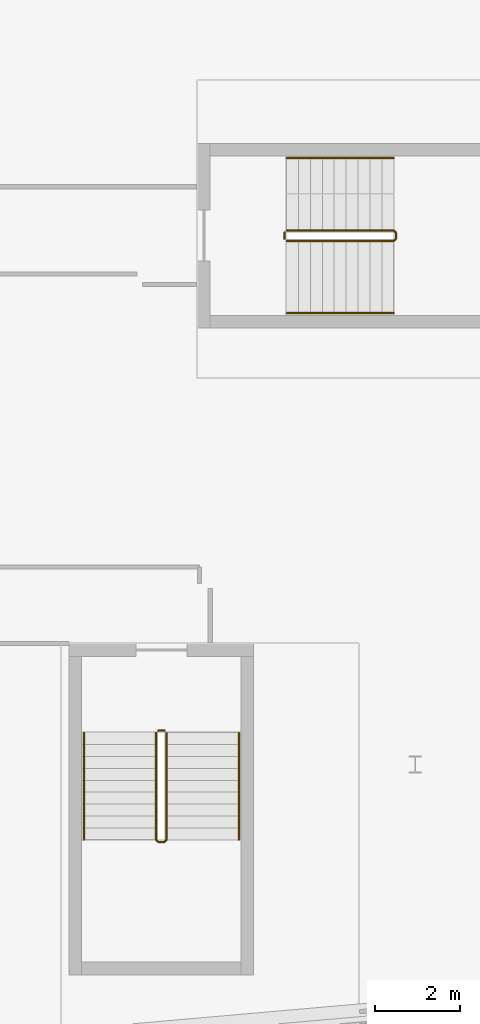
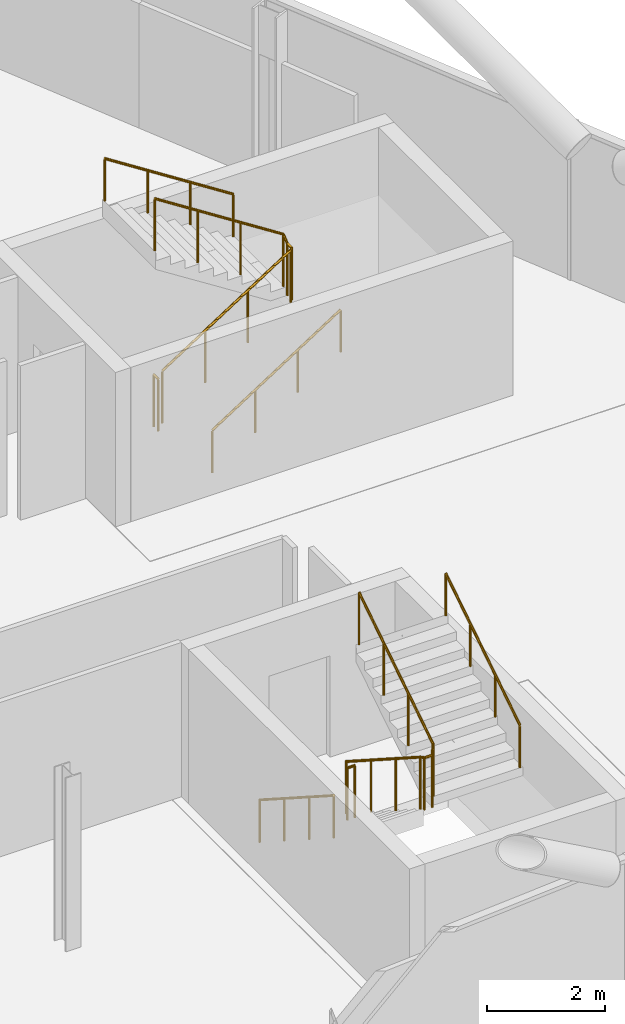
# One storey, part 25 of 26: 8 railings.
"""IFC4 building model written with IfcOpenShell, lengths in metres."""

from ifc_helpers import new_model, si_unit, direction, frame, origin, origin_2d, place, context, subcontext, project, spatial, circle, extrude, material, type_object, element, save


model = new_model("IFC4")

# Units and contexts
model_context = context("Model", 3, precision=1e-05, world=origin(), true_north=direction((0.0, 1.0)))
body_context = subcontext(model_context, "Body", "Model", "MODEL_VIEW")
ifc_project = project(units=[si_unit("LENGTHUNIT", "METRE"), si_unit("AREAUNIT", "SQUARE_METRE"), si_unit("VOLUMEUNIT", "CUBIC_METRE"), si_unit("PLANEANGLEUNIT", "RADIAN"), si_unit("MASSUNIT", "GRAM", prefix="KILO")], contexts=[model_context])

# Site, building, storey
site_placement = place(None, origin())
site = spatial("IfcSite", under=ifc_project, at=site_placement, CompositionType="ELEMENT")
building_placement = place(site_placement, origin())
building = spatial("IfcBuilding", under=site, at=building_placement, Name="Wharfspan Tower", CompositionType="ELEMENT")
storey_placement = place(building_placement, frame((0.0, 0.0, 235.899902)))
storey = spatial("IfcBuildingStorey", under=building, at=storey_placement, Name="L59", CompositionType="ELEMENT", Elevation=235.899902)

# Railings
ifc_material = material(Name="Steel S355J2", Category="steel")
railing_type_1 = type_object("IfcRailingType", Name="Stair guard 1100", PredefinedType="GUARDRAIL", material=ifc_material)
railing_1_placement = place(storey_placement, frame((65.893799, 12.246094, 0.180176)))
element("IfcRailing", 1, at=railing_1_placement, inside=storey, type_object=railing_type_1, Name="L59 ST5 stair guard 1", PredefinedType="GUARDRAIL", context=body_context, shape_type="SweptSolid", body=[
    extrude(circle(Radius=0.023926, at=origin_2d()), frame((0.0, 0.0, 1.076172), z_axis=(0.0, -0.8412, 0.540725), x_axis=(1.0, 0.0, 0.0)), (0.0, 0.0, 1.0), 2.99585),
    extrude(circle(Radius=0.023926, at=origin_2d()), frame((0.0, -2.52002, 2.695801), z_axis=(0.708834, -0.705376, 0.0), x_axis=(0.705376, 0.708834, 0.0)), (0.0, 0.0, 1.0), 0.070557),
    extrude(circle(Radius=0.023926, at=origin_2d()), frame((0.050049, -2.569824, 2.695801), z_axis=(1.0, 0.0, 0.0), x_axis=(0.0, 1.0, 0.0)), (0.0, 0.0, 1.0), 0.149902),
    extrude(circle(Radius=0.023926, at=origin_2d()), frame((0.199951, -2.569824, 2.695801), z_axis=(0.258932, 0.257669, 0.930892), x_axis=(-0.705372, 0.708833, -1e-06)), (0.0, 0.0, 1.0), 0.193359),
    extrude(circle(Radius=0.023926, at=origin_2d()), frame((0.25, -2.52002, 2.875977), z_axis=(0.0, 0.841163, 0.540782), x_axis=(-1.0, 0.0, 0.0)), (0.0, 0.0, 1.0), 2.99585),
    extrude(circle(Radius=0.020996, at=origin_2d()), origin(), (0.0, 0.0, 1.0), 1.052002),
    extrude(circle(Radius=0.020996, at=origin_2d()), frame((0.0, -0.840088, 0.540039)), (0.0, 0.0, 1.0), 1.052002),
    extrude(circle(Radius=0.020996, at=origin_2d()), frame((0.0, -1.679932, 1.079834)), (0.0, 0.0, 1.0), 1.052002),
    extrude(circle(Radius=0.020996, at=origin_2d()), frame((0.0, -2.52002, 1.619873)), (0.0, 0.0, 1.0), 1.052002),
    extrude(circle(Radius=0.020996, at=origin_2d()), frame((0.050049, -2.569824, 1.619873)), (0.0, 0.0, 1.0), 1.052002),
    extrude(circle(Radius=0.020996, at=origin_2d()), frame((0.199951, -2.569824, 1.619873)), (0.0, 0.0, 1.0), 1.052002),
    extrude(circle(Radius=0.020996, at=origin_2d()), frame((0.25, -2.52002, 1.799805)), (0.0, 0.0, 1.0), 1.052002),
    extrude(circle(Radius=0.020996, at=origin_2d()), frame((0.25, -1.679932, 2.339844)), (0.0, 0.0, 1.0), 1.052002),
    extrude(circle(Radius=0.020996, at=origin_2d()), frame((0.25, -0.840088, 2.879883)), (0.0, 0.0, 1.0), 1.052002),
    extrude(circle(Radius=0.020996, at=origin_2d()), frame((0.25, 0.0, 3.419922)), (0.0, 0.0, 1.0), 1.052002),
])
railing_2_placement = place(storey_placement, frame((65.943848, 12.296143, 0.0)))
element("IfcRailing", 2, at=railing_2_placement, inside=storey, type_object=railing_type_1, Name="L59 ST5 stair guard 2", PredefinedType="GUARDRAIL", context=body_context, shape_type="SweptSolid", body=[
    extrude(circle(Radius=0.023926, at=origin_2d()), frame((0.0, 0.0, 1.076172), z_axis=(1.0, 0.0, 0.0), x_axis=(0.0, 1.0, 0.0)), (0.0, 0.0, 1.0), 0.149902),
    extrude(circle(Radius=0.020996, at=origin_2d()), origin(), (0.0, 0.0, 1.0), 1.052002),
    extrude(circle(Radius=0.020996, at=origin_2d()), frame((0.149902, 0.0, 0.0)), (0.0, 0.0, 1.0), 1.052002),
])
railing_3_placement = place(storey_placement, frame((68.969482, 23.824951, 0.180176)))
element("IfcRailing", 3, at=railing_3_placement, inside=storey, type_object=railing_type_1, Name="L59 ST6 stair guard 1", PredefinedType="GUARDRAIL", context=body_context, shape_type="SweptSolid", body=[
    extrude(circle(Radius=0.023926, at=origin_2d()), frame((0.0, 0.0, 1.076172), z_axis=(0.8412, 0.0, 0.540725), x_axis=(0.0, 1.0, 0.0)), (0.0, 0.0, 1.0), 2.99585),
    extrude(circle(Radius=0.023926, at=origin_2d()), frame((2.52002, 0.0, 2.695801), z_axis=(0.707107, 0.707107, 0.0), x_axis=(-0.707107, 0.707107, 0.0)), (0.0, 0.0, 1.0), 0.070801),
    extrude(circle(Radius=0.023926, at=origin_2d()), frame((2.570068, 0.050049, 2.695801), z_axis=(0.0, 1.0, 0.0), x_axis=(-1.0, 0.0, 0.0)), (0.0, 0.0, 1.0), 0.149902),
    extrude(circle(Radius=0.023926, at=origin_2d()), frame((2.570068, 0.199951, 2.695801), z_axis=(-0.258848, 0.258848, 0.930589), x_axis=(-0.707107, -0.707107, 0.0)), (0.0, 0.0, 1.0), 0.193359),
    extrude(circle(Radius=0.023926, at=origin_2d()), frame((2.52002, 0.25, 2.875977), z_axis=(-0.841163, 0.0, 0.540782), x_axis=(0.0, -1.0, 0.0)), (0.0, 0.0, 1.0), 2.99585),
    extrude(circle(Radius=0.020996, at=origin_2d()), origin(), (0.0, 0.0, 1.0), 1.052002),
    extrude(circle(Radius=0.020996, at=origin_2d()), frame((0.840088, 0.0, 0.540039)), (0.0, 0.0, 1.0), 1.052002),
    extrude(circle(Radius=0.020996, at=origin_2d()), frame((1.679932, 0.0, 1.079834)), (0.0, 0.0, 1.0), 1.052002),
    extrude(circle(Radius=0.020996, at=origin_2d()), frame((2.52002, 0.0, 1.619873)), (0.0, 0.0, 1.0), 1.052002),
    extrude(circle(Radius=0.020996, at=origin_2d()), frame((2.570068, 0.050049, 1.619873)), (0.0, 0.0, 1.0), 1.052002),
    extrude(circle(Radius=0.020996, at=origin_2d()), frame((2.570068, 0.199951, 1.619873)), (0.0, 0.0, 1.0), 1.052002),
    extrude(circle(Radius=0.020996, at=origin_2d()), frame((2.52002, 0.25, 1.799805)), (0.0, 0.0, 1.0), 1.052002),
    extrude(circle(Radius=0.020996, at=origin_2d()), frame((1.679932, 0.25, 2.339844)), (0.0, 0.0, 1.0), 1.052002),
    extrude(circle(Radius=0.020996, at=origin_2d()), frame((0.840088, 0.25, 2.879883)), (0.0, 0.0, 1.0), 1.052002),
    extrude(circle(Radius=0.020996, at=origin_2d()), frame((0.0, 0.25, 3.419922)), (0.0, 0.0, 1.0), 1.052002),
])
railing_4_placement = place(storey_placement, frame((68.919678, 23.875, 0.0)))
element("IfcRailing", 4, at=railing_4_placement, inside=storey, type_object=railing_type_1, Name="L59 ST6 stair guard 2", PredefinedType="GUARDRAIL", context=body_context, shape_type="SweptSolid", body=[
    extrude(circle(Radius=0.023926, at=origin_2d()), frame((0.0, 0.0, 1.076172), z_axis=(0.0, 1.0, 0.0), x_axis=(-1.0, 0.0, 0.0)), (0.0, 0.0, 1.0), 0.149902),
    extrude(circle(Radius=0.020996, at=origin_2d()), origin(), (0.0, 0.0, 1.0), 1.052002),
    extrude(circle(Radius=0.020996, at=origin_2d()), frame((0.0, 0.149902, 0.0)), (0.0, 0.0, 1.0), 1.052002),
])
railing_type_2 = type_object("IfcRailingType", Name="Stair handrail 900", PredefinedType="HANDRAIL", material=ifc_material)
railing_5_placement = place(storey_placement, frame((64.193848, 12.246094, 0.180176)))
element("IfcRailing", 5, at=railing_5_placement, inside=storey, type_object=railing_type_2, Name="L59 ST5 stair handrail 1", PredefinedType="HANDRAIL", context=body_context, shape_type="SweptSolid", body=[
    extrude(circle(Radius=0.023926, at=origin_2d()), frame((0.0, 0.0, 0.875977), z_axis=(0.0, -0.8412, 0.540725), x_axis=(1.0, 0.0, 0.0)), (0.0, 0.0, 1.0), 2.99585),
    extrude(circle(Radius=0.020996, at=origin_2d()), origin(), (0.0, 0.0, 1.0), 0.851807),
    extrude(circle(Radius=0.020996, at=origin_2d()), frame((0.0, -0.840088, 0.540039)), (0.0, 0.0, 1.0), 0.851807),
    extrude(circle(Radius=0.020996, at=origin_2d()), frame((0.0, -1.679932, 1.079834)), (0.0, 0.0, 1.0), 0.851807),
    extrude(circle(Radius=0.020996, at=origin_2d()), frame((0.0, -2.52002, 1.619873)), (0.0, 0.0, 1.0), 0.851807),
])
railing_6_placement = place(storey_placement, frame((67.84375, 9.726074, 1.97998)))
element("IfcRailing", 6, at=railing_6_placement, inside=storey, type_object=railing_type_2, Name="L59 ST5 stair handrail 2", PredefinedType="HANDRAIL", context=body_context, shape_type="SweptSolid", body=[
    extrude(circle(Radius=0.023926, at=origin_2d()), frame((0.0, 0.0, 0.875977), z_axis=(0.0, 0.841163, 0.540782), x_axis=(-1.0, 0.0, 0.0)), (0.0, 0.0, 1.0), 2.99585),
    extrude(circle(Radius=0.020996, at=origin_2d()), origin(), (0.0, 0.0, 1.0), 0.851807),
    extrude(circle(Radius=0.020996, at=origin_2d()), frame((0.0, 0.840088, 0.540039)), (0.0, 0.0, 1.0), 0.851807),
    extrude(circle(Radius=0.020996, at=origin_2d()), frame((0.0, 1.679932, 1.080078)), (0.0, 0.0, 1.0), 0.851807),
    extrude(circle(Radius=0.020996, at=origin_2d()), frame((0.0, 2.52002, 1.620117)), (0.0, 0.0, 1.0), 0.851807),
])
railing_7_placement = place(storey_placement, frame((68.969482, 22.125, 0.180176)))
element("IfcRailing", 7, at=railing_7_placement, inside=storey, type_object=railing_type_2, Name="L59 ST6 stair handrail 1", PredefinedType="HANDRAIL", context=body_context, shape_type="SweptSolid", body=[
    extrude(circle(Radius=0.023926, at=origin_2d()), frame((0.0, 0.0, 0.875977), z_axis=(0.8412, 0.0, 0.540725), x_axis=(0.0, 1.0, 0.0)), (0.0, 0.0, 1.0), 2.99585),
    extrude(circle(Radius=0.020996, at=origin_2d()), origin(), (0.0, 0.0, 1.0), 0.851807),
    extrude(circle(Radius=0.020996, at=origin_2d()), frame((0.840088, 0.0, 0.540039)), (0.0, 0.0, 1.0), 0.851807),
    extrude(circle(Radius=0.020996, at=origin_2d()), frame((1.679932, 0.0, 1.079834)), (0.0, 0.0, 1.0), 0.851807),
    extrude(circle(Radius=0.020996, at=origin_2d()), frame((2.52002, 0.0, 1.619873)), (0.0, 0.0, 1.0), 0.851807),
])
railing_8_placement = place(storey_placement, frame((71.489502, 25.774902, 1.97998)))
element("IfcRailing", 8, at=railing_8_placement, inside=storey, type_object=railing_type_2, Name="L59 ST6 stair handrail 2", PredefinedType="HANDRAIL", context=body_context, shape_type="SweptSolid", body=[
    extrude(circle(Radius=0.023926, at=origin_2d()), frame((0.0, 0.0, 0.875977), z_axis=(-0.841163, 0.0, 0.540782), x_axis=(0.0, -1.0, 0.0)), (0.0, 0.0, 1.0), 2.99585),
    extrude(circle(Radius=0.020996, at=origin_2d()), origin(), (0.0, 0.0, 1.0), 0.851807),
    extrude(circle(Radius=0.020996, at=origin_2d()), frame((-0.840088, 0.0, 0.540039)), (0.0, 0.0, 1.0), 0.851807),
    extrude(circle(Radius=0.020996, at=origin_2d()), frame((-1.679932, 0.0, 1.080078)), (0.0, 0.0, 1.0), 0.851807),
    extrude(circle(Radius=0.020996, at=origin_2d()), frame((-2.52002, 0.0, 1.620117)), (0.0, 0.0, 1.0), 0.851807),
])

save(model, "model.ifc")
